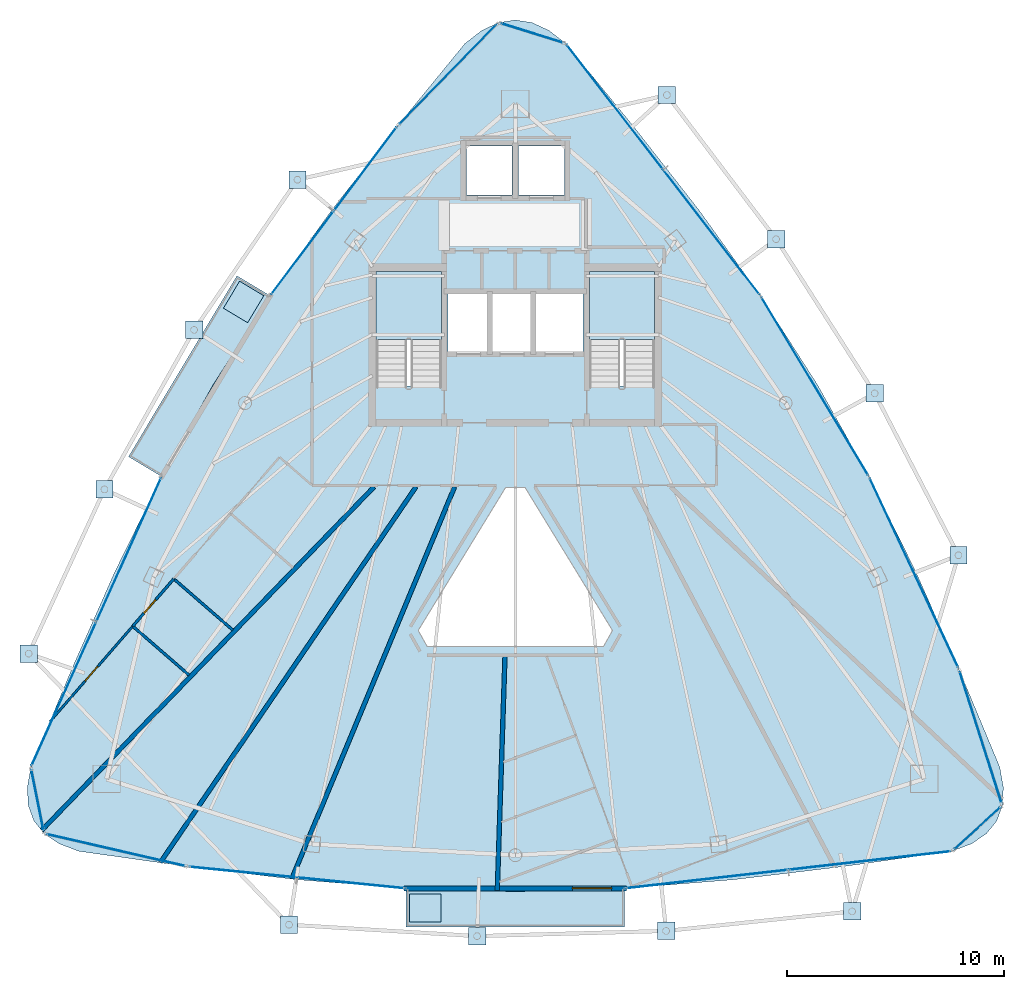
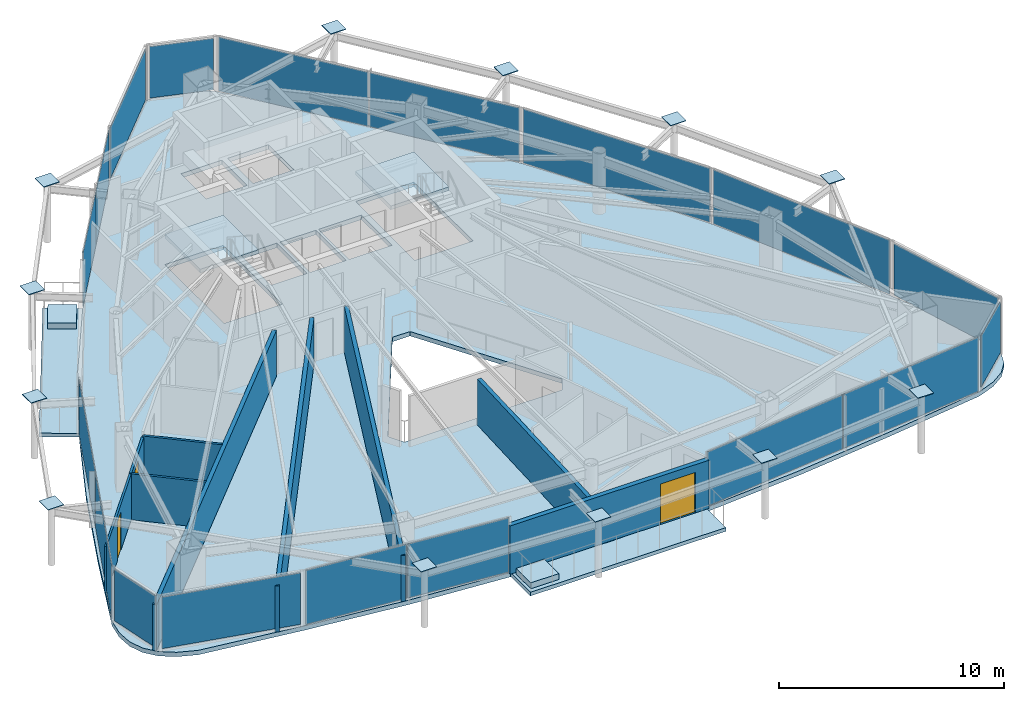
# One storey, part 25 of 29: 30 plates, 9 walls, 7 slabs, 3 doors, 3 openings, 15 elements without a shape of their own.
"""IFC4 building model written with IfcOpenShell, lengths in metres."""

from ifc_helpers import new_model, si_unit, direction, frame, frame_2d, origin, origin_2d, place, context, subcontext, project, spatial, polyline, rectangle, outline, extrude, material, layer, layer_set, type_object, element, fill, aggregate, save


model = new_model("IFC4")

# Units and contexts
model_context = context("Model", 3, precision=1e-05, world=origin(), true_north=direction((0.0, 1.0)))
body_context = subcontext(model_context, "Body", "Model", "MODEL_VIEW")
ifc_project = project(units=[si_unit("LENGTHUNIT", "METRE"), si_unit("AREAUNIT", "SQUARE_METRE"), si_unit("VOLUMEUNIT", "CUBIC_METRE"), si_unit("PLANEANGLEUNIT", "RADIAN"), si_unit("MASSUNIT", "GRAM", prefix="KILO")], contexts=[model_context])

# Site, building, storey
site_placement = place(None, origin())
site = spatial("IfcSite", under=ifc_project, at=site_placement, CompositionType="ELEMENT")
building_placement = place(site_placement, origin())
building = spatial("IfcBuilding", under=site, at=building_placement, Name="Orvanel Arch Residences", CompositionType="ELEMENT")
storey_placement = place(building_placement, frame((0.0, 0.0, 246.949951171875)))
storey = spatial("IfcBuildingStorey", under=building, at=storey_placement, Name="L70", CompositionType="ELEMENT", Elevation=246.949951171875)

# Plates
ifc_material_1 = material(Name="Structural steel AS/NZS 3678 Grade 350", Category="steel")
ifc_layer_1 = layer(ifc_material_1, 0.031982421875)
ifc_layer_set_1 = layer_set([ifc_layer_1], Name="Structural steel AS/NZS 3678 Grade 350")
plate_type_1 = type_object("IfcPlateType", Name="PL-CAP-32", PredefinedType="SHEET", material=ifc_layer_set_1)
for number, where, z_axis, x_axis, name in (
    (1, (22.97900390625, 37.909912109375, 3.2841796875), (0.0, 0.0, 1.0), (1.0, 0.0, 0.0), "L70 hollow member end cap plate"),
    (2, (18.22607421875, 31.0048828125, 3.2841796875), (0.0, 0.0, 1.0), (1.0, 0.0, 0.0), "L70 hollow member end cap plate"),
    (3, (14.10302734375, 23.6669921875, 3.2841796875), (0.0, 0.0, 1.0), (1.0, 0.0, 0.0), "L70 hollow member end cap plate"),
    (4, (10.618896484375, 16.114990234375, 3.2841796875), (0.0, 0.0, 1.0), (1.0, 0.0, 0.0), "L70 hollow member end cap plate"),
    (5, (22.592041015625, 3.64599609375, 3.2841796875), (0.0, 0.0, 1.0), (1.0, 0.0, 0.0), "L70 hollow member end cap plate"),
    (6, (31.239990234375, 3.123046875, 3.2841796875), (0.0, 0.0, 1.0), (1.0, 0.0, 0.0), "L70 hollow member end cap plate"),
    (7, (39.93408203125, 3.362060546875, 3.2841796875), (0.0, 0.0, 1.0), (1.0, 0.0, 0.0), "L70 hollow member end cap plate"),
    (8, (48.488037109375, 4.258056640625, 3.2841796875), (0.0, 0.0, 1.0), (1.0, 0.0, 0.0), "L70 hollow member end cap plate"),
    (9, (53.3798828125, 20.639892578125, 3.2841796875), (0.0, 0.0, 1.0), (1.0, 0.0, 0.0), "L70 hollow member end cap plate"),
    (10, (49.52587890625, 28.083984375, 3.2841796875), (0.0, 0.0, 1.0), (1.0, 0.0, 0.0), "L70 hollow member end cap plate"),
    (11, (44.992919921875, 35.176025390625, 3.2841796875), (0.0, 0.0, 1.0), (1.0, 0.0, 0.0), "L70 hollow member end cap plate"),
    (12, (39.970947265625, 41.804931640625, 3.2841796875), (0.0, 0.0, 1.0), (1.0, 0.0, 0.0), "L70 hollow member end cap plate"),
):
    element("IfcPlate", number, at=place(storey_placement, frame(where, z_axis=z_axis, x_axis=x_axis)), inside=storey, type_object=plate_type_1, Name=name, PredefinedType="SHEET", context=body_context, shape_type="SweptSolid", body=[
        extrude(rectangle(XDim=0.800048828125, YDim=0.800048828125, at=origin_2d()), origin(), (0.0, 0.0, 1.0), 0.031982421875),
    ])

# Curtain wall, plates
ifc_material_2 = material(Name="Bronze-anodised aluminium AA6063-T6", Category="aluminium")
ifc_layer_2 = layer(ifc_material_2, 0.175048828125)
ifc_layer_set_2 = layer_set([ifc_layer_2], Name="Bronze-anodised aluminium AA6063-T6")
curtain_wall_type_1 = type_object("IfcCurtainWallType", Name="CW4-HI-SYS", PredefinedType="NOTDEFINED", material=ifc_layer_set_2)
curtain_wall_1_placement = place(storey_placement, origin())
curtain_wall_1 = element("IfcCurtainWall", 13, at=curtain_wall_1_placement, inside=storey, type_object=curtain_wall_type_1, Name="L70 CW4-HI-SYS Unitised Curtain Wall", PredefinedType="NOTDEFINED")
ifc_material_3 = material(Name="Double-glazed solar-control low-E safety glass", Category="glass")
ifc_layer_3 = layer(ifc_material_3, 0.028076171875)
ifc_layer_set_3 = layer_set([ifc_layer_3], Name="Double-glazed solar-control low-E safety glass")
plate_type_2 = type_object("IfcPlateType", Name="PNL-GLZ-28", PredefinedType="CURTAIN_PANEL", material=ifc_layer_set_3)
plate_1_placement = place(storey_placement, frame((26.0966796875, 38.406494140625, 0.06005859375), z_axis=(0.0, 0.0, 1.0), x_axis=(-0.599901144567, -0.800074132032, 0.0)))
plate_1 = element("IfcPlate", 14, at=plate_1_placement, type_object=plate_type_2, Name="CW-S4 panel 1.1", PredefinedType="CURTAIN_PANEL", context=body_context, shape_type="SweptSolid", body=[
    extrude(rectangle(XDim=4.75830078125, YDim=0.028076171875, at=origin_2d()), origin(), (0.0, 0.0, 1.0), 2.93994140625),
])
plate_2_placement = place(storey_placement, frame((23.203369140625, 34.547607421875, 0.06005859375), z_axis=(0.0, 0.0, 1.0), x_axis=(-0.599901144567, -0.800074132032, 0.0)))
plate_2 = element("IfcPlate", 15, at=plate_2_placement, type_object=plate_type_2, Name="CW-S4 panel 2.1", PredefinedType="CURTAIN_PANEL", context=body_context, shape_type="SweptSolid", body=[
    extrude(rectangle(XDim=4.75830078125, YDim=0.028076171875, at=origin_2d()), origin(), (0.0, 0.0, 1.0), 2.93994140625),
])
aggregate(curtain_wall_1, [plate_1, plate_2])

curtain_wall_2_placement = place(storey_placement, origin())
curtain_wall_2 = element("IfcCurtainWall", 16, at=curtain_wall_2_placement, inside=storey, type_object=curtain_wall_type_1, Name="L70 CW4-HI-SYS Unitised Curtain Wall", PredefinedType="NOTDEFINED")
plate_3_placement = place(storey_placement, frame((15.220458984375, 20.89453125, 0.06005859375), z_axis=(0.0, 0.0, 1.0), x_axis=(-0.410572405987, -0.911827998826, 0.0)))
plate_3 = element("IfcPlate", 17, at=plate_3_placement, type_object=plate_type_2, Name="CW-S4 panel 1.1", PredefinedType="CURTAIN_PANEL", context=body_context, shape_type="SweptSolid", body=[
    extrude(rectangle(XDim=7.208251953125, YDim=0.028076171875, at=origin_2d()), origin(), (0.0, 0.0, 1.0), 2.93994140625),
])
plate_4_placement = place(storey_placement, frame((12.234375, 14.262451171875, 0.06005859375), z_axis=(0.0, 0.0, 1.0), x_axis=(-0.410572405987, -0.911827998826, 0.0)))
plate_4 = element("IfcPlate", 18, at=plate_4_placement, type_object=plate_type_2, Name="CW-S4 panel 2.1", PredefinedType="CURTAIN_PANEL", context=body_context, shape_type="SweptSolid", body=[
    extrude(rectangle(XDim=7.208251953125, YDim=0.028076171875, at=origin_2d()), origin(), (0.0, 0.0, 1.0), 2.93994140625),
])
aggregate(curtain_wall_2, [plate_3, plate_4])

curtain_wall_3_placement = place(storey_placement, origin())
curtain_wall_3 = element("IfcCurtainWall", 19, at=curtain_wall_3_placement, inside=storey, type_object=curtain_wall_type_1, Name="L70 CW4-HI-SYS Unitised Curtain Wall", PredefinedType="NOTDEFINED")
plate_5_placement = place(storey_placement, frame((20.470458984375, 6.065673828125, 0.06005859375), z_axis=(0.0, 0.0, 1.0), x_axis=(0.99505194986, -0.099356011792, 0.0)))
plate_5 = element("IfcPlate", 20, at=plate_5_placement, type_object=plate_type_2, Name="CW-S4 panel 1.1", PredefinedType="CURTAIN_PANEL", context=body_context, shape_type="SweptSolid", body=[
    extrude(rectangle(XDim=4.929931640625, YDim=0.028076171875, at=origin_2d()), origin(), (0.0, 0.0, 1.0), 2.93994140625),
])
plate_6_placement = place(storey_placement, frame((25.440673828125, 5.5693359375, 0.06005859375), z_axis=(0.0, 0.0, 1.0), x_axis=(0.99505194986, -0.099356011792, 0.0)))
plate_6 = element("IfcPlate", 21, at=plate_6_placement, type_object=plate_type_2, Name="CW-S4 panel 2.1", PredefinedType="CURTAIN_PANEL", context=body_context, shape_type="SweptSolid", body=[
    extrude(rectangle(XDim=4.929931640625, YDim=0.028076171875, at=origin_2d()), origin(), (0.0, 0.0, 1.0), 2.93994140625),
])
aggregate(curtain_wall_3, [plate_5, plate_6])

curtain_wall_4_placement = place(storey_placement, origin())
curtain_wall_4 = element("IfcCurtainWall", 22, at=curtain_wall_4_placement, inside=storey, type_object=curtain_wall_type_1, Name="L70 CW4-HI-SYS Unitised Curtain Wall", PredefinedType="NOTDEFINED")
plate_7_placement = place(storey_placement, frame((41.81494140625, 5.7470703125, 0.06005859375), z_axis=(0.0, 0.0, 1.0), x_axis=(0.993594966733, 0.113000186209, 0.0)))
plate_7 = element("IfcPlate", 23, at=plate_7_placement, type_object=plate_type_2, Name="CW-S4 panel 1.1", PredefinedType="CURTAIN_PANEL", context=body_context, shape_type="SweptSolid", body=[
    extrude(rectangle(XDim=7.46435546875, YDim=0.028076171875, at=origin_2d()), origin(), (0.0, 0.0, 1.0), 2.93994140625),
])
plate_8_placement = place(storey_placement, frame((49.296142578125, 6.597900390625, 0.06005859375), z_axis=(0.0, 0.0, 1.0), x_axis=(0.993594966733, 0.113000186209, 0.0)))
plate_8 = element("IfcPlate", 24, at=plate_8_placement, type_object=plate_type_2, Name="CW-S4 panel 2.1", PredefinedType="CURTAIN_PANEL", context=body_context, shape_type="SweptSolid", body=[
    extrude(rectangle(XDim=7.46435546875, YDim=0.028076171875, at=origin_2d()), origin(), (0.0, 0.0, 1.0), 2.93994140625),
])
aggregate(curtain_wall_4, [plate_7, plate_8])

# Curtain wall, plate
curtain_wall_5_placement = place(storey_placement, origin())
curtain_wall_5 = element("IfcCurtainWall", 25, at=curtain_wall_5_placement, inside=storey, type_object=curtain_wall_type_1, Name="L70 CW4-HI-SYS Unitised Curtain Wall", PredefinedType="NOTDEFINED")
plate_9_placement = place(storey_placement, frame((51.32958984375, 19.840576171875, 0.06005859375), z_axis=(0.0, 0.0, 1.0), x_axis=(-0.423460283576, 0.9059146694, 0.0)))
plate_9 = element("IfcPlate", 26, at=plate_9_placement, type_object=plate_type_2, Name="CW-S4 panel 1.1", PredefinedType="CURTAIN_PANEL", context=body_context, shape_type="SweptSolid", body=[
    extrude(rectangle(XDim=9.582763671875, YDim=0.028076171875, at=origin_2d()), origin(), (0.0, 0.0, 1.0), 2.93994140625),
])
aggregate(curtain_wall_5, [plate_9])

curtain_wall_6_placement = place(storey_placement, origin())
curtain_wall_6 = element("IfcCurtainWall", 27, at=curtain_wall_6_placement, inside=storey, type_object=curtain_wall_type_1, Name="L70 CW4-HI-SYS Unitised Curtain Wall", PredefinedType="NOTDEFINED")
plate_10_placement = place(storey_placement, frame((46.77001953125, 28.4169921875, 0.06005859375), z_axis=(0.0, 0.0, 1.0), x_axis=(-0.514465309766, 0.857511192375, 0.0)))
plate_10 = element("IfcPlate", 28, at=plate_10_placement, type_object=plate_type_2, Name="CW-S4 panel 1.1", PredefinedType="CURTAIN_PANEL", context=body_context, shape_type="SweptSolid", body=[
    extrude(rectangle(XDim=9.530517578125, YDim=0.028076171875, at=origin_2d()), origin(), (0.0, 0.0, 1.0), 2.93994140625),
])
aggregate(curtain_wall_6, [plate_10])

# Curtain wall, plates
curtain_wall_7_placement = place(storey_placement, origin())
curtain_wall_7 = element("IfcCurtainWall", 29, at=curtain_wall_7_placement, inside=storey, type_object=curtain_wall_type_1, Name="L70 CW4-HI-SYS Unitised Curtain Wall", PredefinedType="NOTDEFINED")
plate_11_placement = place(storey_placement, frame((42.0205078125, 35.495849609375, 0.06005859375), z_axis=(0.0, 0.0, 1.0), x_axis=(-0.611198135446, 0.791477630276, 0.0)))
plate_11 = element("IfcPlate", 30, at=plate_11_placement, type_object=plate_type_2, Name="CW-S4 panel 1.1", PredefinedType="CURTAIN_PANEL", context=body_context, shape_type="SweptSolid", body=[
    extrude(rectangle(XDim=7.207763671875, YDim=0.028076171875, at=origin_2d()), origin(), (0.0, 0.0, 1.0), 2.93994140625),
])
plate_12_placement = place(storey_placement, frame((37.575439453125, 41.252197265625, 0.06005859375), z_axis=(0.0, 0.0, 1.0), x_axis=(-0.611198135446, 0.791477630276, 0.0)))
plate_12 = element("IfcPlate", 31, at=plate_12_placement, type_object=plate_type_2, Name="CW-S4 panel 2.1", PredefinedType="CURTAIN_PANEL", context=body_context, shape_type="SweptSolid", body=[
    extrude(rectangle(XDim=7.207763671875, YDim=0.028076171875, at=origin_2d()), origin(), (0.0, 0.0, 1.0), 2.93994140625),
])
aggregate(curtain_wall_7, [plate_11, plate_12])

# Curtain wall, plate
ifc_layer_4 = layer(ifc_material_2, 0.18994140625)
ifc_layer_set_4 = layer_set([ifc_layer_4], Name="Bronze-anodised aluminium AA6063-T6")
curtain_wall_type_2 = type_object("IfcCurtainWallType", Name="CW5-CRN-SYS", PredefinedType="NOTDEFINED", material=ifc_layer_set_4)
curtain_wall_8_placement = place(storey_placement, origin())
curtain_wall_8 = element("IfcCurtainWall", 32, at=curtain_wall_8_placement, inside=storey, type_object=curtain_wall_type_2, Name="L70 CW5-CRN-SYS Unitised Curtain Wall", PredefinedType="NOTDEFINED")
ifc_layer_5 = layer(ifc_material_3, 0.031982421875)
ifc_layer_set_5 = layer_set([ifc_layer_5], Name="Double-glazed solar-control low-E safety glass")
plate_type_3 = type_object("IfcPlateType", Name="PNL-GLZ-32", PredefinedType="CURTAIN_PANEL", material=ifc_layer_set_5)
plate_13_placement = place(storey_placement, frame((33.7734375, 44.654052734375, 0.1298828125), z_axis=(0.0, 0.0, 1.0), x_axis=(-0.954774052968, 0.297332318759, 0.0)))
plate_13 = element("IfcPlate", 33, at=plate_13_placement, type_object=plate_type_3, Name="CW-S5 panel 1.1", PredefinedType="CURTAIN_PANEL", context=body_context, shape_type="SweptSolid", body=[
    extrude(rectangle(XDim=2.90185546875, YDim=0.031982421875, at=origin_2d()), origin(), (0.0, 0.0, 1.0), 2.800048828125),
])
aggregate(curtain_wall_8, [plate_13])

curtain_wall_9_placement = place(storey_placement, origin())
curtain_wall_9 = element("IfcCurtainWall", 34, at=curtain_wall_9_placement, inside=storey, type_object=curtain_wall_type_2, Name="L70 CW5-CRN-SYS Unitised Curtain Wall", PredefinedType="NOTDEFINED")
plate_14_placement = place(storey_placement, frame((29.900390625, 42.757080078125, 0.1298828125), z_axis=(0.0, 0.0, 1.0), x_axis=(-0.69897161419, -0.71514941275, 0.0)))
plate_14 = element("IfcPlate", 35, at=plate_14_placement, type_object=plate_type_3, Name="CW-S5 panel 1.1", PredefinedType="CURTAIN_PANEL", context=body_context, shape_type="SweptSolid", body=[
    extrude(rectangle(XDim=6.31396484375, YDim=0.031982421875, at=origin_2d()), origin(), (0.0, 0.0, 1.0), 2.800048828125),
])
aggregate(curtain_wall_9, [plate_14])

curtain_wall_10_placement = place(storey_placement, origin())
curtain_wall_10 = element("IfcCurtainWall", 36, at=curtain_wall_10_placement, inside=storey, type_object=curtain_wall_type_2, Name="L70 CW5-CRN-SYS Unitised Curtain Wall", PredefinedType="NOTDEFINED")
plate_15_placement = place(storey_placement, frame((11.02490234375, 9.367919921875, 0.1298828125), z_axis=(0.0, 0.0, 1.0), x_axis=(0.195367162167, -0.980730172854, 0.0)))
plate_15 = element("IfcPlate", 37, at=plate_15_placement, type_object=plate_type_3, Name="CW-S5 panel 1.1", PredefinedType="CURTAIN_PANEL", context=body_context, shape_type="SweptSolid", body=[
    extrude(rectangle(XDim=2.781494140625, YDim=0.031982421875, at=origin_2d()), origin(), (0.0, 0.0, 1.0), 2.800048828125),
])
aggregate(curtain_wall_10, [plate_15])

curtain_wall_11_placement = place(storey_placement, origin())
curtain_wall_11 = element("IfcCurtainWall", 38, at=curtain_wall_11_placement, inside=storey, type_object=curtain_wall_type_2, Name="L70 CW5-CRN-SYS Unitised Curtain Wall", PredefinedType="NOTDEFINED")
plate_16_placement = place(storey_placement, frame((14.631591796875, 7.077880859375, 0.1298828125), z_axis=(0.0, 0.0, 1.0), x_axis=(0.974553565223, -0.224154742337, 0.0)))
plate_16 = element("IfcPlate", 39, at=plate_16_placement, type_object=plate_type_3, Name="CW-S5 panel 1.1", PredefinedType="CURTAIN_PANEL", context=body_context, shape_type="SweptSolid", body=[
    extrude(rectangle(XDim=6.4365234375, YDim=0.031982421875, at=origin_2d()), origin(), (0.0, 0.0, 1.0), 2.800048828125),
])
aggregate(curtain_wall_11, [plate_16])

curtain_wall_12_placement = place(storey_placement, origin())
curtain_wall_12 = element("IfcCurtainWall", 40, at=curtain_wall_12_placement, inside=storey, type_object=curtain_wall_type_2, Name="L70 CW5-CRN-SYS Unitised Curtain Wall", PredefinedType="NOTDEFINED")
plate_17_placement = place(storey_placement, frame((54.244384765625, 8.077880859375, 0.1298828125), z_axis=(0.0, 0.0, 1.0), x_axis=(0.740204322001, 0.672382005775, 0.0)))
plate_17 = element("IfcPlate", 41, at=plate_17_placement, type_object=plate_type_3, Name="CW-S5 panel 1.1", PredefinedType="CURTAIN_PANEL", context=body_context, shape_type="SweptSolid", body=[
    extrude(rectangle(XDim=2.781494140625, YDim=0.031982421875, at=origin_2d()), origin(), (0.0, 0.0, 1.0), 2.800048828125),
])
aggregate(curtain_wall_12, [plate_17])

curtain_wall_13_placement = place(storey_placement, origin())
curtain_wall_13 = element("IfcCurtainWall", 42, at=curtain_wall_13_placement, inside=storey, type_object=curtain_wall_type_2, Name="L70 CW5-CRN-SYS Unitised Curtain Wall", PredefinedType="NOTDEFINED")
plate_18_placement = place(storey_placement, frame((54.39697265625, 12.27490234375, 0.1298828125), z_axis=(0.0, 0.0, 1.0), x_axis=(-0.303593263494, 0.952801726678, 0.0)))
plate_18 = element("IfcPlate", 43, at=plate_18_placement, type_object=plate_type_3, Name="CW-S5 panel 1.1", PredefinedType="CURTAIN_PANEL", context=body_context, shape_type="SweptSolid", body=[
    extrude(rectangle(XDim=6.26806640625, YDim=0.031982421875, at=origin_2d()), origin(), (0.0, 0.0, 1.0), 2.800048828125),
])
aggregate(curtain_wall_13, [plate_18])

# Slabs
ifc_material_4 = material(Name="Concrete N40 (40 MPa)", Category="concrete")
ifc_layer_6 = layer(ifc_material_4, 0.199951171875)
ifc_layer_set_6 = layer_set([ifc_layer_6], Name="Concrete N40 (40 MPa)")
slab_type_1 = type_object("IfcSlabType", Name="SLB-BAL-200", PredefinedType="FLOOR", material=ifc_layer_set_6)
slab_1_placement = place(storey_placement, frame((0.0, 0.0, -0.199951171875)))
element("IfcSlab", 44, at=slab_1_placement, inside=storey, type_object=slab_type_1, Name="L70 Cantilevered Balcony Slab Face 1", PredefinedType="FLOOR", context=body_context, shape_type="SweptSolid", body=[
    extrude(outline(polyline([(20.197998046875, 33.491943359375), (15.208984375, 25.173095703125), (16.735107421875, 24.258056640625), (19.10888671875, 28.489013671875), (21.72509765625, 32.575927734375), (20.197998046875, 33.491943359375)])), origin(), (0.0, 0.0, 1.0), 0.199951171875),
])
slab_2_placement = place(storey_placement, frame((0.0, 0.0, -0.199951171875)))
element("IfcSlab", 45, at=slab_2_placement, inside=storey, type_object=slab_type_1, Name="L70 Cantilevered Balcony Slab Face 2", PredefinedType="FLOOR", context=body_context, shape_type="SweptSolid", body=[
    extrude(outline(polyline([(27.97802734375, 3.535888671875), (38.02197265625, 3.535888671875), (38.02197265625, 5.31591796875), (33.0, 5.174072265625), (27.97802734375, 5.31591796875), (27.97802734375, 3.535888671875)])), origin(), (0.0, 0.0, 1.0), 0.199951171875),
])

# Stair, slab
ifc_material_5 = material(Name="Precast concrete N50 (50 MPa)", Category="concrete")
stair_type = type_object("IfcStairType", Name="STR-DOG-184", PredefinedType="USERDEFINED", material=ifc_material_5)
stair_1_placement = place(storey_placement, origin())
stair_1 = element("IfcStair", 46, at=stair_1_placement, inside=storey, type_object=stair_type, Name="L70 Fire-Isolated Core Exit Stair 1", ObjectType="TWO_RETURN_STAIR", PredefinedType="USERDEFINED")
ifc_layer_7 = layer(ifc_material_4, 0.199951171875)
ifc_layer_set_7 = layer_set([ifc_layer_7], Name="Concrete N40 (40 MPa)")
slab_type_2 = type_object("IfcSlabType", Name="SLB-LND-200", PredefinedType="LANDING", material=ifc_layer_set_7)
slab_3_placement = place(storey_placement, frame((0.0, 0.0, 1.449951171875)))
slab_3 = element("IfcSlab", 47, at=slab_3_placement, type_object=slab_type_2, Name="ST-1 landing 1", PredefinedType="LANDING", context=body_context, shape_type="SweptSolid", body=[
    extrude(outline(polyline([(29.60009765625, 30.56005859375), (29.60009765625, 33.699951171875), (26.60009765625, 33.699951171875), (26.60009765625, 30.56005859375), (29.60009765625, 30.56005859375)])), origin(), (0.0, 0.0, 1.0), 0.2001953125),
])
aggregate(stair_1, [slab_3])

stair_2_placement = place(storey_placement, origin())
stair_2 = element("IfcStair", 48, at=stair_2_placement, inside=storey, type_object=stair_type, Name="L70 Fire-Isolated Core Exit Stair 2", ObjectType="TWO_RETURN_STAIR", PredefinedType="USERDEFINED")
slab_4_placement = place(storey_placement, frame((0.0, 0.0, 1.449951171875)))
slab_4 = element("IfcSlab", 49, at=slab_4_placement, type_object=slab_type_2, Name="ST-2 landing 1", PredefinedType="LANDING", context=body_context, shape_type="SweptSolid", body=[
    extrude(outline(polyline([(39.39990234375, 30.56005859375), (39.39990234375, 33.699951171875), (36.39990234375, 33.699951171875), (36.39990234375, 30.56005859375), (39.39990234375, 30.56005859375)])), origin(), (0.0, 0.0, 1.0), 0.2001953125),
])
aggregate(stair_2, [slab_4])

# Slabs
ifc_material_6 = material(Name="Structural architectural precast concrete N40 (40 MPa) planter", Category="concrete")
ifc_layer_8 = layer(ifc_material_6, 0.320068359375)
ifc_layer_set_8 = layer_set([ifc_layer_8], Name="Structural architectural precast concrete N40 (40 MPa) planter")
slab_type_3 = type_object("IfcSlabType", Name="SLB-PLN-320", PredefinedType="USERDEFINED", material=ifc_layer_set_8)
slab_5_placement = place(storey_placement, origin())
element("IfcSlab", 50, at=slab_5_placement, inside=storey, type_object=slab_type_3, Name="L70 Balcony TREE PLANTER Face 1", ObjectType="PLANTER", PredefinedType="USERDEFINED", context=body_context, shape_type="SweptSolid", body=[
    extrude(outline(polyline([(20.318115234375, 33.2451171875), (19.572998046875, 32.0009765625), (20.68701171875, 31.3330078125), (21.43310546875, 32.575927734375), (20.318115234375, 33.2451171875)])), origin(), (0.0, 0.0, 1.0), 0.320068359375),
])
slab_6_placement = place(storey_placement, origin())
element("IfcSlab", 51, at=slab_6_placement, inside=storey, type_object=slab_type_3, Name="L70 Balcony TREE PLANTER Face 2", ObjectType="PLANTER", PredefinedType="USERDEFINED", context=body_context, shape_type="SweptSolid", body=[
    extrude(outline(polyline([(28.1279296875, 3.76611328125), (29.577880859375, 3.76611328125), (29.577880859375, 5.06591796875), (28.1279296875, 5.06591796875), (28.1279296875, 3.76611328125)])), origin(), (0.0, 0.0, 1.0), 0.320068359375),
])
ifc_layer_9 = layer(ifc_material_4, 0.239990234375)
ifc_layer_set_9 = layer_set([ifc_layer_9], Name="Concrete N40 (40 MPa)")
slab_type_4 = type_object("IfcSlabType", Name="SLB-TYP-240", PredefinedType="FLOOR", material=ifc_layer_set_9)
slab_7_placement = place(storey_placement, frame((0.0, 0.0, -0.239990234375)))
element("IfcSlab", 52, at=slab_7_placement, inside=storey, type_object=slab_type_4, Name="L70 Tower Floor Slab", PredefinedType="FLOOR", context=body_context, shape_type="SweptSolid", body=[
    extrude(outline(polyline([(35.321044921875, 44.172119140625), (34.547119140625, 44.77392578125), (33.77392578125, 45.135986328125), (33.0, 45.256103515625), (32.22607421875, 45.135986328125), (31.452880859375, 44.77392578125), (30.678955078125, 44.172119140625), (27.574951171875, 40.3779296875), (24.56396484375, 36.529052734375), (21.72509765625, 32.575927734375), (19.10888671875, 28.489013671875), (16.735107421875, 24.258056640625), (14.5849609375, 19.89208984375), (12.60595703125, 15.423095703125), (10.719970703125, 10.89892578125), (10.552978515625, 9.952880859375), (10.60009765625, 9.126953125), (10.85791015625, 8.422119140625), (11.330078125, 7.8369140625), (12.013916015625, 7.373046875), (12.910888671875, 7.029052734375), (17.93310546875, 6.319091796875), (22.9560546875, 5.718017578125), (27.97802734375, 5.31591796875), (33.0, 5.174072265625), (38.02197265625, 5.31591796875), (43.0439453125, 5.718017578125), (48.06689453125, 6.319091796875), (53.089111328125, 7.029052734375), (53.986083984375, 7.373046875), (54.669921875, 7.8369140625), (55.14208984375, 8.422119140625), (55.39990234375, 9.126953125), (55.447021484375, 9.952880859375), (55.280029296875, 10.89892578125), (53.39404296875, 15.423095703125), (51.4150390625, 19.89208984375), (49.264892578125, 24.258056640625), (46.89111328125, 28.489013671875), (44.27490234375, 32.575927734375), (41.43603515625, 36.529052734375), (38.425048828125, 40.3779296875), (35.321044921875, 44.172119140625)]), holes=[polyline([(26.60009765625, 28.429931640625), (26.60009765625, 33.699951171875), (29.60009765625, 33.699951171875), (29.60009765625, 28.429931640625), (26.60009765625, 28.429931640625)]), polyline([(36.39990234375, 28.429931640625), (36.39990234375, 33.699951171875), (39.39990234375, 33.699951171875), (39.39990234375, 28.429931640625), (36.39990234375, 28.429931640625)]), polyline([(29.89990234375, 32.64990234375), (31.75, 32.64990234375), (31.75, 29.949951171875), (29.89990234375, 29.949951171875), (29.89990234375, 32.64990234375)]), polyline([(31.89990234375, 32.64990234375), (33.75, 32.64990234375), (33.75, 29.949951171875), (31.89990234375, 29.949951171875), (31.89990234375, 32.64990234375)]), polyline([(33.89990234375, 32.64990234375), (36.10009765625, 32.64990234375), (36.10009765625, 29.949951171875), (33.89990234375, 29.949951171875), (33.89990234375, 32.64990234375)]), polyline([(30.75, 39.449951171875), (32.85009765625, 39.449951171875), (32.85009765625, 37.199951171875), (30.75, 37.199951171875), (30.75, 39.449951171875)]), polyline([(33.14990234375, 39.449951171875), (35.25, 39.449951171875), (35.25, 37.199951171875), (33.14990234375, 37.199951171875), (33.14990234375, 39.449951171875)]), polyline([(37.468017578125, 17.179931640625), (37.052001953125, 16.43896484375), (28.947998046875, 16.43896484375), (28.531982421875, 17.179931640625), (32.547119140625, 23.7470703125), (33.452880859375, 23.7470703125), (37.468017578125, 17.179931640625)])]), origin(), (0.0, 0.0, 1.0), 0.239990234375),
])

# Wall, opening, door
ifc_layer_10 = layer(ifc_material_5, 0.239990234375)
ifc_layer_set_10 = layer_set([ifc_layer_10], Name="Precast concrete N50 (50 MPa)")
wall_type_1 = type_object("IfcWallType", Name="EW-BAL-240", PredefinedType="SOLIDWALL", material=ifc_layer_set_10)
wall_1_placement = place(storey_placement, frame((27.8798828125, 5.31591796875, 0.0), z_axis=(0.0, 0.0, 1.0), x_axis=(1.0, 0.0, 0.0)))
wall_1 = element("IfcWall", 53, at=wall_1_placement, inside=storey, type_object=wall_type_1, Name="L70 Balcony Threshold Wall Face 2", PredefinedType="SOLIDWALL", context=body_context, shape_type="SweptSolid", body=[
    extrude(rectangle(XDim=10.240234375, YDim=0.239990234375, at=frame_2d((5.1201171875, 0.0))), origin(), (0.0, 0.0, 1.0), 2.6240234375),
])
opening_1_placement = place(wall_1_placement, frame((7.742919921875, 0.0, 0.0)))
opening_1 = element("IfcOpeningElement", 54, at=opening_1_placement, cuts=wall_1, Name="Opening DB-180", PredefinedType="OPENING", context=body_context, shape_type="SweptSolid", body=[
    extrude(rectangle(XDim=1.800048828125, YDim=2.199951171875, at=frame_2d((0.89990234375, 1.10009765625))), frame((0.0, 0.1298828125, 0.0), z_axis=(0.0, -1.0, 0.0), x_axis=(1.0, 0.0, 0.0)), (0.0, 0.0, 1.0), 0.260009765625),
])
door_type_1 = type_object("IfcDoorType", Name="DR-BAL-1800", OperationType="NOTDEFINED", PredefinedType="DOOR", material=ifc_material_2)
door_1_placement = place(opening_1_placement, origin())
door_1 = element("IfcDoor", 55, at=door_1_placement, inside=storey, type_object=door_type_1, Name="DR-L70-BAL-F2 L70 Planted Balcony Access Door Face 2", OperationType="SINGLE_SWING_RIGHT", OverallHeight=2.199951171875, OverallWidth=1.800048828125, PredefinedType="DOOR", context=body_context, shape_type="SweptSolid", body=[
    extrude(rectangle(XDim=1.800048828125, YDim=2.199951171875, at=frame_2d((0.89990234375, 1.10009765625))), frame((0.0, 0.02490234375, 0.0), z_axis=(0.0, -1.0, 0.0), x_axis=(1.0, 0.0, 0.0)), (0.0, 0.0, 1.0), 0.050048828125),
])
fill(opening_1, door_1)

# Walls
ifc_material_7 = material(Name="Fire-rated plasterboard lined steel stud partition", Category="steel")
ifc_layer_11 = layer(ifc_material_7, 0.199951171875)
ifc_layer_set_11 = layer_set([ifc_layer_11], Name="Fire-rated plasterboard lined steel stud partition")
wall_type_2 = type_object("IfcWallType", Name="W-DEM-200", PredefinedType="PARTITIONING", material=ifc_layer_set_11)
wall_2_placement = place(storey_placement, frame((32.1689453125, 5.212890625, 0.0), z_axis=(0.0, 0.0, 1.0), x_axis=(0.032863548895, 0.999459847695, 0.0)))
element("IfcWall", 56, at=wall_2_placement, inside=storey, type_object=wall_type_2, Name="L70 Inter-Tenancy Acoustic Demising Wall", PredefinedType="PARTITIONING", context=body_context, shape_type="SweptSolid", body=[
    extrude(rectangle(XDim=10.77197265625, YDim=0.199951171875, at=frame_2d((5.385986328125, 0.0))), origin(), (0.0, 0.0, 1.0), 2.491943359375),
])
wall_3_placement = place(storey_placement, frame((26.508056640625, 23.7900390625, 0.0), z_axis=(0.0, 0.0, 1.0), x_axis=(-0.695365551949, -0.71865621069, 0.0)))
element("IfcWall", 57, at=wall_3_placement, inside=storey, type_object=wall_type_2, Name="L70 Inter-Tenancy Acoustic Demising Wall", PredefinedType="PARTITIONING", context=body_context, shape_type="SweptSolid", body=[
    extrude(rectangle(XDim=21.9814453125, YDim=0.199951171875, at=frame_2d((10.99072265625, 0.0))), origin(), (0.0, 0.0, 1.0), 2.491943359375),
])
wall_4_placement = place(storey_placement, frame((22.717041015625, 5.760986328125, 0.0), z_axis=(0.0, 0.0, 1.0), x_axis=(0.383820587854, 0.923407686961, 0.0)))
element("IfcWall", 58, at=wall_4_placement, inside=storey, type_object=wall_type_2, Name="L70 Inter-Tenancy Acoustic Demising Wall", PredefinedType="PARTITIONING", context=body_context, shape_type="SweptSolid", body=[
    extrude(rectangle(XDim=19.5244140625, YDim=0.199951171875, at=frame_2d((9.76220703125, 0.0))), origin(), (0.0, 0.0, 1.0), 2.491943359375),
])
wall_5_placement = place(storey_placement, frame((16.674072265625, 6.510986328125, 0.0), z_axis=(0.0, 0.0, 1.0), x_axis=(0.562645442508, 0.82669831621, 0.0)))
element("IfcWall", 59, at=wall_5_placement, inside=storey, type_object=wall_type_2, Name="L70 Inter-Tenancy Acoustic Demising Wall", PredefinedType="PARTITIONING", context=body_context, shape_type="SweptSolid", body=[
    extrude(rectangle(XDim=20.9013671875, YDim=0.199951171875, at=frame_2d((10.45068359375, 0.0))), origin(), (0.0, 0.0, 1.0), 2.491943359375),
])

# Wall, opening, door
ifc_material_8 = material(Name="Acoustic plasterboard lined twin-stud partition", Category="gypsum")
ifc_layer_12 = layer(ifc_material_8, 0.10009765625)
ifc_layer_set_12 = layer_set([ifc_layer_12], Name="Acoustic plasterboard lined twin-stud partition")
wall_type_3 = type_object("IfcWallType", Name="W-INT-100", PredefinedType="PARTITIONING", material=ifc_layer_set_12)
wall_6_placement = place(storey_placement, frame((15.403076171875, 17.3759765625, 0.0), z_axis=(0.0, 0.0, 1.0), x_axis=(-0.655535791639, -0.755164105265, 0.0)))
wall_6 = element("IfcWall", 60, at=wall_6_placement, inside=storey, type_object=wall_type_3, Name="L70 Studio C Internal Partition", PredefinedType="PARTITIONING", context=body_context, shape_type="SweptSolid", body=[
    extrude(rectangle(XDim=5.802734375, YDim=0.10009765625, at=frame_2d((2.9013671875, 0.0))), origin(), (0.0, 0.0, 1.0), 2.491943359375),
])
opening_2_placement = place(wall_6_placement, frame((2.4609375, 0.0, 0.0)))
opening_2 = element("IfcOpeningElement", 61, at=opening_2_placement, cuts=wall_6, Name="Opening DI-088", PredefinedType="OPENING", context=body_context, shape_type="SweptSolid", body=[
    extrude(rectangle(XDim=0.8798828125, YDim=2.10009765625, at=frame_2d((0.43994140625, 1.050048828125))), frame((0.0, 0.06005859375, 0.0), z_axis=(0.0, -1.0, 0.0), x_axis=(1.0, 0.0, 0.0)), (0.0, 0.0, 1.0), 0.1201171875),
])
ifc_material_9 = material(Name="Solid-core European oak veneer fire door leaf", Category="wood")
door_type_2 = type_object("IfcDoorType", Name="DR-INT-880", OperationType="NOTDEFINED", PredefinedType="DOOR", material=ifc_material_9)
door_2_placement = place(opening_2_placement, origin())
door_2 = element("IfcDoor", 62, at=door_2_placement, inside=storey, type_object=door_type_2, Name="DR-L70-C-DIN1 L70 Studio C Dining Room 1 Door", OperationType="SINGLE_SWING_LEFT", OverallHeight=2.10009765625, OverallWidth=0.8798828125, PredefinedType="DOOR", context=body_context, shape_type="SweptSolid", body=[
    extrude(rectangle(XDim=0.8798828125, YDim=2.10009765625, at=frame_2d((0.43994140625, 1.050048828125))), frame((0.0, 0.02490234375, 0.0), z_axis=(0.0, -1.0, 0.0), x_axis=(1.0, 0.0, 0.0)), (0.0, 0.0, 1.0), 0.050048828125),
])
fill(opening_2, door_2)

ifc_layer_13 = layer(ifc_material_8, 0.1201171875)
ifc_layer_set_13 = layer_set([ifc_layer_13], Name="Acoustic plasterboard lined twin-stud partition")
wall_type_4 = type_object("IfcWallType", Name="W-WET-120", PredefinedType="PARTITIONING", material=ifc_layer_set_13)
wall_7_placement = place(storey_placement, frame((17.29296875, 19.552978515625, 0.0), z_axis=(0.0, 0.0, 1.0), x_axis=(-0.655555788219, -0.755146746357, 0.0)))
wall_7 = element("IfcWall", 63, at=wall_7_placement, inside=storey, type_object=wall_type_4, Name="L70 Studio C Bathroom Partition", PredefinedType="PARTITIONING", context=body_context, shape_type="SweptSolid", body=[
    extrude(rectangle(XDim=2.8828125, YDim=0.1201171875, at=frame_2d((1.44140625, 0.0))), origin(), (0.0, 0.0, 1.0), 2.491943359375),
])
opening_3_placement = place(wall_7_placement, frame((1.26904296875, 0.0, 0.0)))
opening_3 = element("IfcOpeningElement", 64, at=opening_3_placement, cuts=wall_7, Name="Opening DW-082", PredefinedType="OPENING", context=body_context, shape_type="SweptSolid", body=[
    extrude(rectangle(XDim=0.820068359375, YDim=2.10009765625, at=frame_2d((0.41015625, 1.050048828125))), frame((0.0, 0.070068359375, 0.0), z_axis=(0.0, -1.0, 0.0), x_axis=(1.0, 0.0, 0.0)), (0.0, 0.0, 1.0), 0.14013671875),
])
door_type_3 = type_object("IfcDoorType", Name="DR-WET-820", OperationType="NOTDEFINED", PredefinedType="DOOR", material=ifc_material_9)
door_3_placement = place(opening_3_placement, origin())
door_3 = element("IfcDoor", 65, at=door_3_placement, inside=storey, type_object=door_type_3, Name="DR-L70-C-BATH L70 Studio C Bathroom Door", OperationType="SINGLE_SWING_RIGHT", OverallHeight=2.10009765625, OverallWidth=0.820068359375, PredefinedType="DOOR", context=body_context, shape_type="SweptSolid", body=[
    extrude(rectangle(XDim=0.820068359375, YDim=2.10009765625, at=frame_2d((0.41015625, 1.050048828125))), frame((0.0, 0.02490234375, 0.0), z_axis=(0.0, -1.0, 0.0), x_axis=(1.0, 0.0, 0.0)), (0.0, 0.0, 1.0), 0.050048828125),
])
fill(opening_3, door_3)

# Walls
wall_8_placement = place(storey_placement, frame((17.29296875, 19.552978515625, 0.0), z_axis=(0.0, 0.0, 1.0), x_axis=(0.755140110276, -0.655563432364, 0.0)))
element("IfcWall", 66, at=wall_8_placement, inside=storey, type_object=wall_type_4, Name="L70 Studio C Bathroom Partition", PredefinedType="PARTITIONING", context=body_context, shape_type="SweptSolid", body=[
    extrude(rectangle(XDim=3.5966796875, YDim=0.1201171875, at=frame_2d((1.79833984375, 0.0))), origin(), (0.0, 0.0, 1.0), 2.56494140625),
])
wall_9_placement = place(storey_placement, frame((18.0009765625, 15.1201171875, 0.0), z_axis=(0.0, 0.0, 1.0), x_axis=(-0.755063624175, 0.655651525925, 0.0)))
element("IfcWall", 67, at=wall_9_placement, inside=storey, type_object=wall_type_4, Name="L70 Studio C Bathroom Partition", PredefinedType="PARTITIONING", context=body_context, shape_type="SweptSolid", body=[
    extrude(rectangle(XDim=3.440673828125, YDim=0.1201171875, at=frame_2d((1.72021484375, 0.0))), origin(), (0.0, 0.0, 1.0), 2.491943359375),
])

save(model, "model.ifc")
